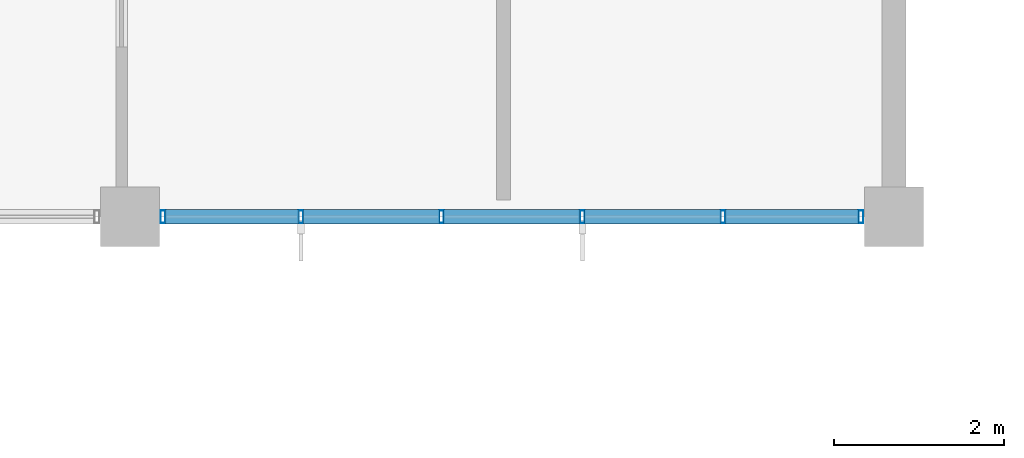
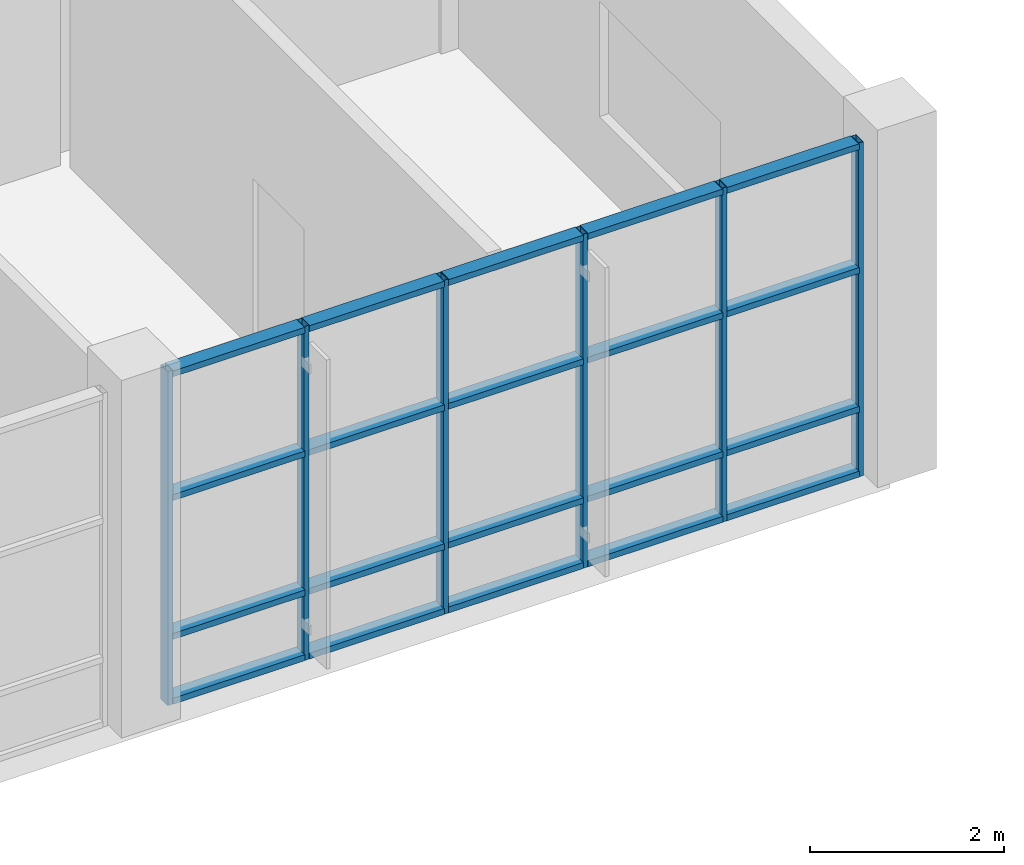
# One storey, part 6 of 29: 26 members, 1 element without a shape of its own.
"""IFC4 building model written with IfcOpenShell, lengths in metres."""

from ifc_helpers import new_model, si_unit, direction, frame, origin, origin_2d, place, context, subcontext, project, spatial, hollow_rectangle, extrude, material, layer, layer_set, material_profile, profile_set, type_object, element, aggregate, save


model = new_model("IFC4")

# Units and contexts
model_context = context("Model", 3, precision=1e-05, world=origin(), true_north=direction((0.0, 1.0)))
body_context = subcontext(model_context, "Body", "Model", "MODEL_VIEW")
ifc_project = project(units=[si_unit("LENGTHUNIT", "METRE"), si_unit("AREAUNIT", "SQUARE_METRE"), si_unit("VOLUMEUNIT", "CUBIC_METRE"), si_unit("PLANEANGLEUNIT", "RADIAN"), si_unit("MASSUNIT", "GRAM", prefix="KILO")], contexts=[model_context])

# Site, building, storey
site_placement = place(None, origin())
site = spatial("IfcSite", under=ifc_project, at=site_placement, CompositionType="ELEMENT")
building_placement = place(site_placement, origin())
building = spatial("IfcBuilding", under=site, at=building_placement, Name="Ventoquebrada Cableway Terminal", CompositionType="ELEMENT")
storey_placement = place(building_placement, frame((0.0, 0.0, 18.89990234375)))
storey = spatial("IfcBuildingStorey", under=building, at=storey_placement, Name="L04", CompositionType="ELEMENT", Elevation=18.89990234375)

# Curtain wall, members
ifc_material = material(Name="Anodized thermally-broken aluminium", Category="aluminium")
ifc_layer = layer(ifc_material, 0.159912109375)
ifc_layer_set = layer_set([ifc_layer], Name="Anodized thermally-broken aluminium")
curtain_wall_type = type_object("IfcCurtainWallType", Name="CW-T26", PredefinedType="USERDEFINED", material=ifc_layer_set)
curtain_wall_placement = place(storey_placement, origin())
curtain_wall = element("IfcCurtainWall", 1, at=curtain_wall_placement, inside=storey, type_object=curtain_wall_type, Name="Unitised glazed curtain wall CW-062", ObjectType="UNITISED CURTAIN WALL", PredefinedType="USERDEFINED")
ifc_material_profile_1 = material_profile(ifc_material, hollow_rectangle(XDim=0.06005859375, YDim=0.14990234375, WallThickness=0.00390625, at=origin_2d()), Name="CW-MUL-60X150")
ifc_profile_set_1 = profile_set([ifc_material_profile_1], Name="Anodized thermally-broken aluminium")
member_type_1 = type_object("IfcMemberType", Name="CWM-03", PredefinedType="MULLION", material=ifc_profile_set_1)
member_1_placement = place(storey_placement, frame((17.590087890625, 77.0, -0.0078125), z_axis=(0.0, 0.0, 1.0), x_axis=(1.0, 0.0, 0.0)))
member_1 = element("IfcMember", 2, at=member_1_placement, type_object=member_type_1, Name="Curtain wall mullion FML-0286", PredefinedType="MULLION", context=body_context, shape_type="SweptSolid", body=[
    extrude(hollow_rectangle(XDim=0.06005859375, YDim=0.14990234375, WallThickness=0.00390625, at=origin_2d()), origin(), (0.0, 0.0, 1.0), 4.202880859375),
])
member_2_placement = place(storey_placement, frame((19.212890625, 77.0, -0.0078125), z_axis=(0.0, 0.0, 1.0), x_axis=(1.0, 0.0, 0.0)))
member_2 = element("IfcMember", 3, at=member_2_placement, type_object=member_type_1, Name="Curtain wall mullion FML-0287", PredefinedType="MULLION", context=body_context, shape_type="SweptSolid", body=[
    extrude(hollow_rectangle(XDim=0.06005859375, YDim=0.14990234375, WallThickness=0.00390625, at=origin_2d()), origin(), (0.0, 0.0, 1.0), 4.202880859375),
])
member_3_placement = place(storey_placement, frame((20.87109375, 77.0, -0.0078125), z_axis=(0.0, 0.0, 1.0), x_axis=(1.0, 0.0, 0.0)))
member_3 = element("IfcMember", 4, at=member_3_placement, type_object=member_type_1, Name="Curtain wall mullion FML-0288", PredefinedType="MULLION", context=body_context, shape_type="SweptSolid", body=[
    extrude(hollow_rectangle(XDim=0.06005859375, YDim=0.14990234375, WallThickness=0.00390625, at=origin_2d()), origin(), (0.0, 0.0, 1.0), 4.202880859375),
])
member_4_placement = place(storey_placement, frame((22.529052734375, 77.0, -0.0078125), z_axis=(0.0, 0.0, 1.0), x_axis=(1.0, 0.0, 0.0)))
member_4 = element("IfcMember", 5, at=member_4_placement, type_object=member_type_1, Name="Curtain wall mullion FML-0289", PredefinedType="MULLION", context=body_context, shape_type="SweptSolid", body=[
    extrude(hollow_rectangle(XDim=0.06005859375, YDim=0.14990234375, WallThickness=0.00390625, at=origin_2d()), origin(), (0.0, 0.0, 1.0), 4.202880859375),
])
member_5_placement = place(storey_placement, frame((24.18701171875, 77.0, -0.0078125), z_axis=(0.0, 0.0, 1.0), x_axis=(1.0, 0.0, 0.0)))
member_5 = element("IfcMember", 6, at=member_5_placement, type_object=member_type_1, Name="Curtain wall mullion FML-0290", PredefinedType="MULLION", context=body_context, shape_type="SweptSolid", body=[
    extrude(hollow_rectangle(XDim=0.06005859375, YDim=0.14990234375, WallThickness=0.00390625, at=origin_2d()), origin(), (0.0, 0.0, 1.0), 4.202880859375),
])
member_6_placement = place(storey_placement, frame((25.81005859375, 77.0, -0.0078125), z_axis=(0.0, 0.0, 1.0), x_axis=(1.0, 0.0, 0.0)))
member_6 = element("IfcMember", 7, at=member_6_placement, type_object=member_type_1, Name="Curtain wall mullion FML-0291", PredefinedType="MULLION", context=body_context, shape_type="SweptSolid", body=[
    extrude(hollow_rectangle(XDim=0.06005859375, YDim=0.14990234375, WallThickness=0.00390625, at=origin_2d()), origin(), (0.0, 0.0, 1.0), 4.202880859375),
])
ifc_material_profile_2 = material_profile(ifc_material, hollow_rectangle(XDim=0.074951171875, YDim=0.169921875, WallThickness=0.00439453125, at=origin_2d()), Name="CW-TRN-75X170")
ifc_profile_set_2 = profile_set([ifc_material_profile_2], Name="Anodized thermally-broken aluminium")
member_type_2 = type_object("IfcMemberType", Name="CWT-03", PredefinedType="USERDEFINED", material=ifc_profile_set_2)
member_7_placement = place(storey_placement, frame((17.614990234375, 77.0, 0.03515625), z_axis=(1.0, 0.0, 0.0), x_axis=(0.0, 0.0, 1.0)))
member_7 = element("IfcMember", 8, at=member_7_placement, type_object=member_type_2, Name="Curtain wall transom FTR-0842", ObjectType="TRANSOM", PredefinedType="USERDEFINED", context=body_context, shape_type="SweptSolid", body=[
    extrude(hollow_rectangle(XDim=0.074951171875, YDim=0.169921875, WallThickness=0.00439453125, at=origin_2d()), origin(), (0.0, 0.0, 1.0), 1.572998046875),
])
member_8_placement = place(storey_placement, frame((17.614990234375, 77.0, 0.85009765625), z_axis=(1.0, 0.0, 0.0), x_axis=(0.0, 0.0, 1.0)))
member_8 = element("IfcMember", 9, at=member_8_placement, type_object=member_type_2, Name="Curtain wall transom FTR-0843", ObjectType="TRANSOM", PredefinedType="USERDEFINED", context=body_context, shape_type="SweptSolid", body=[
    extrude(hollow_rectangle(XDim=0.074951171875, YDim=0.169921875, WallThickness=0.00439453125, at=origin_2d()), origin(), (0.0, 0.0, 1.0), 1.572998046875),
])
member_9_placement = place(storey_placement, frame((17.614990234375, 77.0, 2.59814453125), z_axis=(1.0, 0.0, 0.0), x_axis=(0.0, 0.0, 1.0)))
member_9 = element("IfcMember", 10, at=member_9_placement, type_object=member_type_2, Name="Curtain wall transom FTR-0844", ObjectType="TRANSOM", PredefinedType="USERDEFINED", context=body_context, shape_type="SweptSolid", body=[
    extrude(hollow_rectangle(XDim=0.074951171875, YDim=0.169921875, WallThickness=0.00439453125, at=origin_2d()), origin(), (0.0, 0.0, 1.0), 1.572998046875),
])
member_10_placement = place(storey_placement, frame((17.614990234375, 77.0, 4.155029296875), z_axis=(1.0, 0.0, 0.0), x_axis=(0.0, 0.0, 1.0)))
member_10 = element("IfcMember", 11, at=member_10_placement, type_object=member_type_2, Name="Curtain wall transom FTR-0845", ObjectType="TRANSOM", PredefinedType="USERDEFINED", context=body_context, shape_type="SweptSolid", body=[
    extrude(hollow_rectangle(XDim=0.074951171875, YDim=0.169921875, WallThickness=0.00439453125, at=origin_2d()), origin(), (0.0, 0.0, 1.0), 1.572998046875),
])
member_11_placement = place(storey_placement, frame((19.238037109375, 77.0, 0.03515625), z_axis=(1.0, 0.0, 0.0), x_axis=(0.0, 0.0, 1.0)))
member_11 = element("IfcMember", 12, at=member_11_placement, type_object=member_type_2, Name="Curtain wall transom FTR-0846", ObjectType="TRANSOM", PredefinedType="USERDEFINED", context=body_context, shape_type="SweptSolid", body=[
    extrude(hollow_rectangle(XDim=0.074951171875, YDim=0.169921875, WallThickness=0.00439453125, at=origin_2d()), origin(), (0.0, 0.0, 1.0), 1.60791015625),
])
member_12_placement = place(storey_placement, frame((19.238037109375, 77.0, 0.85009765625), z_axis=(1.0, 0.0, 0.0), x_axis=(0.0, 0.0, 1.0)))
member_12 = element("IfcMember", 13, at=member_12_placement, type_object=member_type_2, Name="Curtain wall transom FTR-0847", ObjectType="TRANSOM", PredefinedType="USERDEFINED", context=body_context, shape_type="SweptSolid", body=[
    extrude(hollow_rectangle(XDim=0.074951171875, YDim=0.169921875, WallThickness=0.00439453125, at=origin_2d()), origin(), (0.0, 0.0, 1.0), 1.60791015625),
])
member_13_placement = place(storey_placement, frame((19.238037109375, 77.0, 2.59814453125), z_axis=(1.0, 0.0, 0.0), x_axis=(0.0, 0.0, 1.0)))
member_13 = element("IfcMember", 14, at=member_13_placement, type_object=member_type_2, Name="Curtain wall transom FTR-0848", ObjectType="TRANSOM", PredefinedType="USERDEFINED", context=body_context, shape_type="SweptSolid", body=[
    extrude(hollow_rectangle(XDim=0.074951171875, YDim=0.169921875, WallThickness=0.00439453125, at=origin_2d()), origin(), (0.0, 0.0, 1.0), 1.60791015625),
])
member_14_placement = place(storey_placement, frame((19.238037109375, 77.0, 4.155029296875), z_axis=(1.0, 0.0, 0.0), x_axis=(0.0, 0.0, 1.0)))
member_14 = element("IfcMember", 15, at=member_14_placement, type_object=member_type_2, Name="Curtain wall transom FTR-0849", ObjectType="TRANSOM", PredefinedType="USERDEFINED", context=body_context, shape_type="SweptSolid", body=[
    extrude(hollow_rectangle(XDim=0.074951171875, YDim=0.169921875, WallThickness=0.00439453125, at=origin_2d()), origin(), (0.0, 0.0, 1.0), 1.60791015625),
])
member_15_placement = place(storey_placement, frame((20.89599609375, 77.0, 0.03515625), z_axis=(1.0, 0.0, 0.0), x_axis=(0.0, 0.0, 1.0)))
member_15 = element("IfcMember", 16, at=member_15_placement, type_object=member_type_2, Name="Curtain wall transom FTR-0850", ObjectType="TRANSOM", PredefinedType="USERDEFINED", context=body_context, shape_type="SweptSolid", body=[
    extrude(hollow_rectangle(XDim=0.074951171875, YDim=0.169921875, WallThickness=0.00439453125, at=origin_2d()), origin(), (0.0, 0.0, 1.0), 1.60791015625),
])
member_16_placement = place(storey_placement, frame((20.89599609375, 77.0, 0.85009765625), z_axis=(1.0, 0.0, 0.0), x_axis=(0.0, 0.0, 1.0)))
member_16 = element("IfcMember", 17, at=member_16_placement, type_object=member_type_2, Name="Curtain wall transom FTR-0851", ObjectType="TRANSOM", PredefinedType="USERDEFINED", context=body_context, shape_type="SweptSolid", body=[
    extrude(hollow_rectangle(XDim=0.074951171875, YDim=0.169921875, WallThickness=0.00439453125, at=origin_2d()), origin(), (0.0, 0.0, 1.0), 1.60791015625),
])
member_17_placement = place(storey_placement, frame((20.89599609375, 77.0, 2.59814453125), z_axis=(1.0, 0.0, 0.0), x_axis=(0.0, 0.0, 1.0)))
member_17 = element("IfcMember", 18, at=member_17_placement, type_object=member_type_2, Name="Curtain wall transom FTR-0852", ObjectType="TRANSOM", PredefinedType="USERDEFINED", context=body_context, shape_type="SweptSolid", body=[
    extrude(hollow_rectangle(XDim=0.074951171875, YDim=0.169921875, WallThickness=0.00439453125, at=origin_2d()), origin(), (0.0, 0.0, 1.0), 1.60791015625),
])
member_18_placement = place(storey_placement, frame((20.89599609375, 77.0, 4.155029296875), z_axis=(1.0, 0.0, 0.0), x_axis=(0.0, 0.0, 1.0)))
member_18 = element("IfcMember", 19, at=member_18_placement, type_object=member_type_2, Name="Curtain wall transom FTR-0853", ObjectType="TRANSOM", PredefinedType="USERDEFINED", context=body_context, shape_type="SweptSolid", body=[
    extrude(hollow_rectangle(XDim=0.074951171875, YDim=0.169921875, WallThickness=0.00439453125, at=origin_2d()), origin(), (0.0, 0.0, 1.0), 1.60791015625),
])
member_19_placement = place(storey_placement, frame((22.553955078125, 77.0, 0.03515625), z_axis=(1.0, 0.0, 0.0), x_axis=(0.0, 0.0, 1.0)))
member_19 = element("IfcMember", 20, at=member_19_placement, type_object=member_type_2, Name="Curtain wall transom FTR-0854", ObjectType="TRANSOM", PredefinedType="USERDEFINED", context=body_context, shape_type="SweptSolid", body=[
    extrude(hollow_rectangle(XDim=0.074951171875, YDim=0.169921875, WallThickness=0.00439453125, at=origin_2d()), origin(), (0.0, 0.0, 1.0), 1.608154296875),
])
member_20_placement = place(storey_placement, frame((22.553955078125, 77.0, 0.85009765625), z_axis=(1.0, 0.0, 0.0), x_axis=(0.0, 0.0, 1.0)))
member_20 = element("IfcMember", 21, at=member_20_placement, type_object=member_type_2, Name="Curtain wall transom FTR-0855", ObjectType="TRANSOM", PredefinedType="USERDEFINED", context=body_context, shape_type="SweptSolid", body=[
    extrude(hollow_rectangle(XDim=0.074951171875, YDim=0.169921875, WallThickness=0.00439453125, at=origin_2d()), origin(), (0.0, 0.0, 1.0), 1.608154296875),
])
member_21_placement = place(storey_placement, frame((22.553955078125, 77.0, 2.59814453125), z_axis=(1.0, 0.0, 0.0), x_axis=(0.0, 0.0, 1.0)))
member_21 = element("IfcMember", 22, at=member_21_placement, type_object=member_type_2, Name="Curtain wall transom FTR-0856", ObjectType="TRANSOM", PredefinedType="USERDEFINED", context=body_context, shape_type="SweptSolid", body=[
    extrude(hollow_rectangle(XDim=0.074951171875, YDim=0.169921875, WallThickness=0.00439453125, at=origin_2d()), origin(), (0.0, 0.0, 1.0), 1.608154296875),
])
member_22_placement = place(storey_placement, frame((22.553955078125, 77.0, 4.155029296875), z_axis=(1.0, 0.0, 0.0), x_axis=(0.0, 0.0, 1.0)))
member_22 = element("IfcMember", 23, at=member_22_placement, type_object=member_type_2, Name="Curtain wall transom FTR-0857", ObjectType="TRANSOM", PredefinedType="USERDEFINED", context=body_context, shape_type="SweptSolid", body=[
    extrude(hollow_rectangle(XDim=0.074951171875, YDim=0.169921875, WallThickness=0.00439453125, at=origin_2d()), origin(), (0.0, 0.0, 1.0), 1.608154296875),
])
member_23_placement = place(storey_placement, frame((24.2119140625, 77.0, 0.03515625), z_axis=(1.0, 0.0, 0.0), x_axis=(0.0, 0.0, 1.0)))
member_23 = element("IfcMember", 24, at=member_23_placement, type_object=member_type_2, Name="Curtain wall transom FTR-0858", ObjectType="TRANSOM", PredefinedType="USERDEFINED", context=body_context, shape_type="SweptSolid", body=[
    extrude(hollow_rectangle(XDim=0.074951171875, YDim=0.169921875, WallThickness=0.00439453125, at=origin_2d()), origin(), (0.0, 0.0, 1.0), 1.572998046875),
])
member_24_placement = place(storey_placement, frame((24.2119140625, 77.0, 0.85009765625), z_axis=(1.0, 0.0, 0.0), x_axis=(0.0, 0.0, 1.0)))
member_24 = element("IfcMember", 25, at=member_24_placement, type_object=member_type_2, Name="Curtain wall transom FTR-0859", ObjectType="TRANSOM", PredefinedType="USERDEFINED", context=body_context, shape_type="SweptSolid", body=[
    extrude(hollow_rectangle(XDim=0.074951171875, YDim=0.169921875, WallThickness=0.00439453125, at=origin_2d()), origin(), (0.0, 0.0, 1.0), 1.572998046875),
])
member_25_placement = place(storey_placement, frame((24.2119140625, 77.0, 2.59814453125), z_axis=(1.0, 0.0, 0.0), x_axis=(0.0, 0.0, 1.0)))
member_25 = element("IfcMember", 26, at=member_25_placement, type_object=member_type_2, Name="Curtain wall transom FTR-0860", ObjectType="TRANSOM", PredefinedType="USERDEFINED", context=body_context, shape_type="SweptSolid", body=[
    extrude(hollow_rectangle(XDim=0.074951171875, YDim=0.169921875, WallThickness=0.00439453125, at=origin_2d()), origin(), (0.0, 0.0, 1.0), 1.572998046875),
])
member_26_placement = place(storey_placement, frame((24.2119140625, 77.0, 4.155029296875), z_axis=(1.0, 0.0, 0.0), x_axis=(0.0, 0.0, 1.0)))
member_26 = element("IfcMember", 27, at=member_26_placement, type_object=member_type_2, Name="Curtain wall transom FTR-0861", ObjectType="TRANSOM", PredefinedType="USERDEFINED", context=body_context, shape_type="SweptSolid", body=[
    extrude(hollow_rectangle(XDim=0.074951171875, YDim=0.169921875, WallThickness=0.00439453125, at=origin_2d()), origin(), (0.0, 0.0, 1.0), 1.572998046875),
])
aggregate(curtain_wall, [member_1, member_2, member_3, member_4, member_5, member_6, member_7, member_8, member_9, member_10, member_11, member_12, member_13, member_14, member_15, member_16, member_17, member_18, member_19, member_20, member_21, member_22, member_23, member_24, member_25, member_26])

save(model, "model.ifc")
